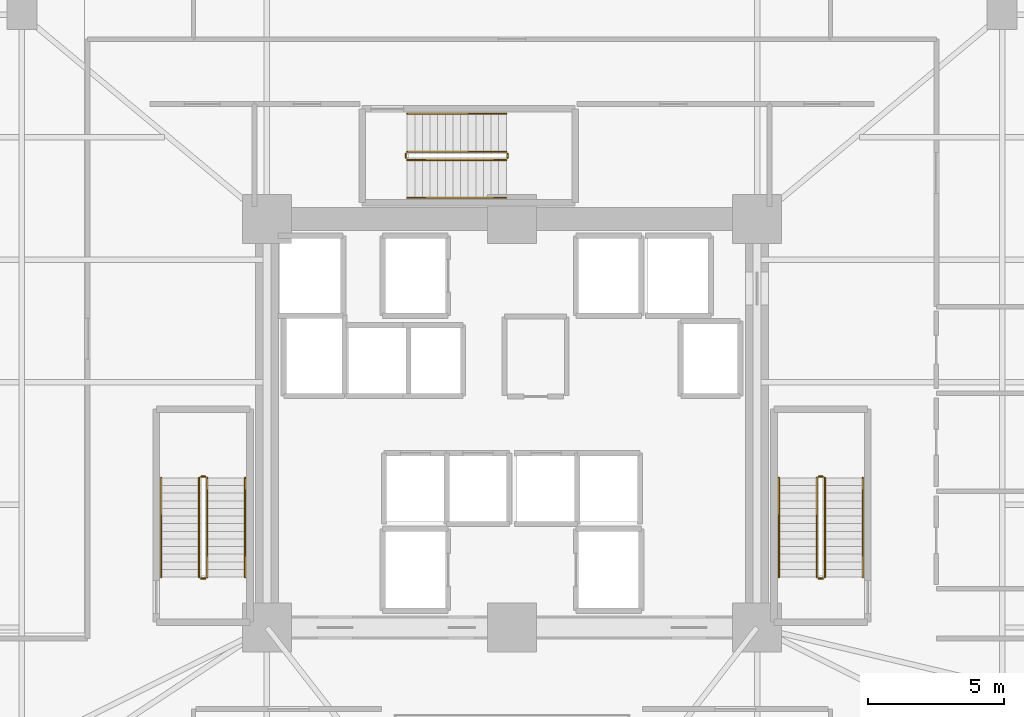
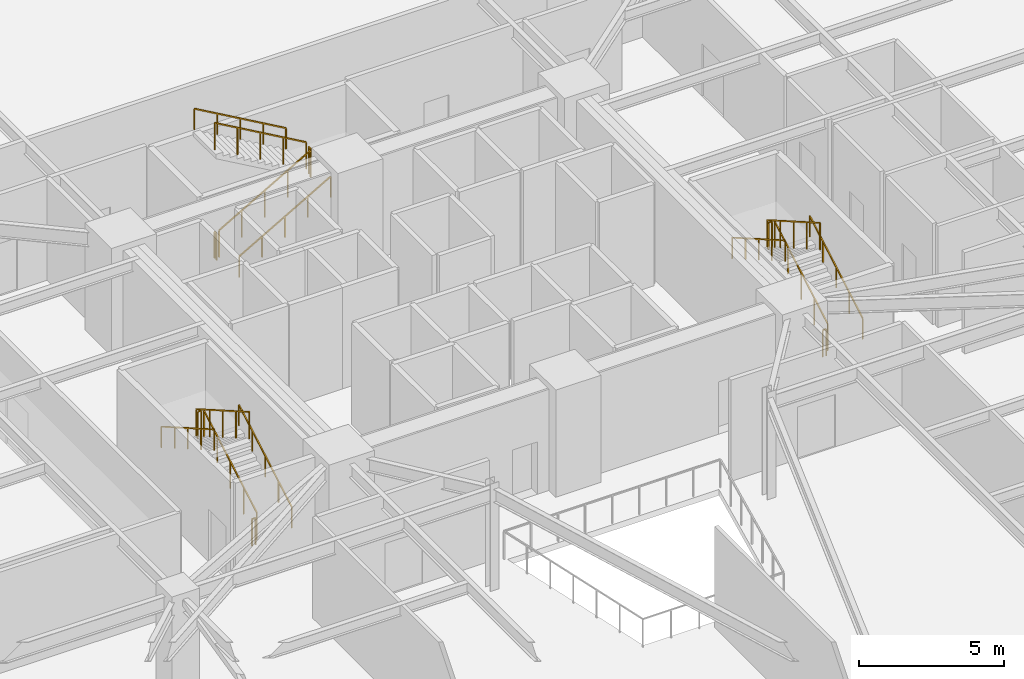
# One storey, part 27 of 29: 18 railings.
"""IFC4 building model written with IfcOpenShell, lengths in metres."""

from ifc_helpers import new_model, si_unit, direction, frame, origin, origin_2d, place, context, subcontext, project, spatial, rectangle, extrude, material, type_object, element, save


model = new_model("IFC4")

# Units and contexts
model_context = context("Model", 3, precision=1e-05, world=origin(), true_north=direction((0.0, 1.0)))
body_context = subcontext(model_context, "Body", "Model", "MODEL_VIEW")
ifc_project = project(units=[si_unit("LENGTHUNIT", "METRE"), si_unit("AREAUNIT", "SQUARE_METRE"), si_unit("VOLUMEUNIT", "CUBIC_METRE"), si_unit("PLANEANGLEUNIT", "RADIAN"), si_unit("MASSUNIT", "GRAM", prefix="KILO")], contexts=[model_context])

# Site, building, storey
site_placement = place(None, origin())
site = spatial("IfcSite", under=ifc_project, at=site_placement, CompositionType="ELEMENT")
building_placement = place(site_placement, origin())
building = spatial("IfcBuilding", under=site, at=building_placement, Name="Liaohun Quay Tower", CompositionType="ELEMENT")
storey_placement = place(building_placement, frame((0.0, 0.0, 5.39990234375)))
storey = spatial("IfcBuildingStorey", under=building, at=storey_placement, Name="L02", CompositionType="ELEMENT", Elevation=5.39990234375)

# Railings
ifc_material_1 = material(Name="Painted tubular steel", Category="steel")
railing_type_1 = type_object("IfcRailingType", Name="RLG-GUARD-STR", PredefinedType="GUARDRAIL", material=ifc_material_1)
railing_1_placement = place(storey_placement, frame((48.81005859375, 48.35009765625, 0.160888671875)))
element("IfcRailing", 1, at=railing_1_placement, inside=storey, type_object=railing_type_1, Name="L02 ST-1 stair guard 1", PredefinedType="GUARDRAIL", context=body_context, shape_type="SweptSolid", body=[
    extrude(rectangle(XDim=0.048095703125, YDim=0.048095703125, at=origin_2d()), frame((0.0, 0.0, 1.1259765625), z_axis=(0.0, 0.867300072446, 0.497785681127), x_axis=(-1.0, 0.0, 0.0)), (0.0, 0.0, 1.0), 4.19677734375),
    extrude(rectangle(XDim=0.0419921875, YDim=0.0419921875, at=origin_2d()), origin(), (0.0, 0.0, 1.0), 1.101806640625),
    extrude(rectangle(XDim=0.0419921875, YDim=0.0419921875, at=origin_2d()), frame((0.0, 0.909912109375, 0.522216796875)), (0.0, 0.0, 1.0), 1.101806640625),
    extrude(rectangle(XDim=0.0419921875, YDim=0.0419921875, at=origin_2d()), frame((0.0, 1.81982421875, 1.04443359375)), (0.0, 0.0, 1.0), 1.101806640625),
    extrude(rectangle(XDim=0.0419921875, YDim=0.0419921875, at=origin_2d()), frame((0.0, 2.72998046875, 1.56689453125)), (0.0, 0.0, 1.0), 1.101806640625),
    extrude(rectangle(XDim=0.0419921875, YDim=0.0419921875, at=origin_2d()), frame((0.0, 3.639892578125, 2.089111328125)), (0.0, 0.0, 1.0), 1.101806640625),
])
railing_2_placement = place(storey_placement, frame((48.72998046875, 52.0400390625, 2.25)))
element("IfcRailing", 2, at=railing_2_placement, inside=storey, type_object=railing_type_1, Name="L02 ST-1 stair guard 2", PredefinedType="GUARDRAIL", context=body_context, shape_type="SweptSolid", body=[
    extrude(rectangle(XDim=0.048095703125, YDim=0.048095703125, at=origin_2d()), frame((0.0, 0.0, 1.1259765625), z_axis=(-1.0, 0.0, 0.0), x_axis=(0.0, -1.0, 0.0)), (0.0, 0.0, 1.0), 0.139892578125),
    extrude(rectangle(XDim=0.0419921875, YDim=0.0419921875, at=origin_2d()), origin(), (0.0, 0.0, 1.0), 1.101806640625),
    extrude(rectangle(XDim=0.0419921875, YDim=0.0419921875, at=origin_2d()), frame((-0.139892578125, 0.0, 0.0)), (0.0, 0.0, 1.0), 1.101806640625),
])
railing_3_placement = place(storey_placement, frame((48.510009765625, 51.989990234375, 2.410888671875)))
element("IfcRailing", 3, at=railing_3_placement, inside=storey, type_object=railing_type_1, Name="L02 ST-1 stair guard 3", PredefinedType="GUARDRAIL", context=body_context, shape_type="SweptSolid", body=[
    extrude(rectangle(XDim=0.048095703125, YDim=0.048095703125, at=origin_2d()), frame((0.0, 0.0, 1.1259765625), z_axis=(0.0, -0.867300072446, 0.497785681127), x_axis=(1.0, 0.0, 0.0)), (0.0, 0.0, 1.0), 4.19677734375),
    extrude(rectangle(XDim=0.0419921875, YDim=0.0419921875, at=origin_2d()), origin(), (0.0, 0.0, 1.0), 1.101806640625),
    extrude(rectangle(XDim=0.0419921875, YDim=0.0419921875, at=origin_2d()), frame((0.0, -0.909912109375, 0.522216796875)), (0.0, 0.0, 1.0), 1.101806640625),
    extrude(rectangle(XDim=0.0419921875, YDim=0.0419921875, at=origin_2d()), frame((0.0, -1.81982421875, 1.04443359375)), (0.0, 0.0, 1.0), 1.101806640625),
    extrude(rectangle(XDim=0.0419921875, YDim=0.0419921875, at=origin_2d()), frame((0.0, -2.72998046875, 1.56689453125)), (0.0, 0.0, 1.0), 1.101806640625),
    extrude(rectangle(XDim=0.0419921875, YDim=0.0419921875, at=origin_2d()), frame((0.0, -3.639892578125, 2.089111328125)), (0.0, 0.0, 1.0), 1.101806640625),
])
railing_4_placement = place(storey_placement, frame((48.72998046875, 48.300048828125, 0.0)))
element("IfcRailing", 4, at=railing_4_placement, inside=storey, type_object=railing_type_1, Name="L02 ST-1 stair guard 4", PredefinedType="GUARDRAIL", context=body_context, shape_type="SweptSolid", body=[
    extrude(rectangle(XDim=0.048095703125, YDim=0.048095703125, at=origin_2d()), frame((0.0, 0.0, 1.1259765625), z_axis=(-1.0, 0.0, 0.0), x_axis=(0.0, -1.0, 0.0)), (0.0, 0.0, 1.0), 0.139892578125),
    extrude(rectangle(XDim=0.0419921875, YDim=0.0419921875, at=origin_2d()), origin(), (0.0, 0.0, 1.0), 1.101806640625),
    extrude(rectangle(XDim=0.0419921875, YDim=0.0419921875, at=origin_2d()), frame((-0.139892578125, 0.0, 0.0)), (0.0, 0.0, 1.0), 1.101806640625),
])
railing_5_placement = place(storey_placement, frame((71.489990234375, 48.35009765625, 0.160888671875)))
element("IfcRailing", 5, at=railing_5_placement, inside=storey, type_object=railing_type_1, Name="L02 ST-2 stair guard 1", PredefinedType="GUARDRAIL", context=body_context, shape_type="SweptSolid", body=[
    extrude(rectangle(XDim=0.048095703125, YDim=0.048095703125, at=origin_2d()), frame((0.0, 0.0, 1.1259765625), z_axis=(0.0, 0.867300072446, 0.497785681127), x_axis=(-1.0, 0.0, 0.0)), (0.0, 0.0, 1.0), 4.19677734375),
    extrude(rectangle(XDim=0.0419921875, YDim=0.0419921875, at=origin_2d()), origin(), (0.0, 0.0, 1.0), 1.101806640625),
    extrude(rectangle(XDim=0.0419921875, YDim=0.0419921875, at=origin_2d()), frame((0.0, 0.909912109375, 0.522216796875)), (0.0, 0.0, 1.0), 1.101806640625),
    extrude(rectangle(XDim=0.0419921875, YDim=0.0419921875, at=origin_2d()), frame((0.0, 1.81982421875, 1.04443359375)), (0.0, 0.0, 1.0), 1.101806640625),
    extrude(rectangle(XDim=0.0419921875, YDim=0.0419921875, at=origin_2d()), frame((0.0, 2.72998046875, 1.56689453125)), (0.0, 0.0, 1.0), 1.101806640625),
    extrude(rectangle(XDim=0.0419921875, YDim=0.0419921875, at=origin_2d()), frame((0.0, 3.639892578125, 2.089111328125)), (0.0, 0.0, 1.0), 1.101806640625),
])
railing_6_placement = place(storey_placement, frame((71.409912109375, 52.0400390625, 2.25)))
element("IfcRailing", 6, at=railing_6_placement, inside=storey, type_object=railing_type_1, Name="L02 ST-2 stair guard 2", PredefinedType="GUARDRAIL", context=body_context, shape_type="SweptSolid", body=[
    extrude(rectangle(XDim=0.048095703125, YDim=0.048095703125, at=origin_2d()), frame((0.0, 0.0, 1.1259765625), z_axis=(-1.0, 0.0, 0.0), x_axis=(0.0, -1.0, 0.0)), (0.0, 0.0, 1.0), 0.139892578125),
    extrude(rectangle(XDim=0.0419921875, YDim=0.0419921875, at=origin_2d()), origin(), (0.0, 0.0, 1.0), 1.101806640625),
    extrude(rectangle(XDim=0.0419921875, YDim=0.0419921875, at=origin_2d()), frame((-0.139892578125, 0.0, 0.0)), (0.0, 0.0, 1.0), 1.101806640625),
])
railing_7_placement = place(storey_placement, frame((71.18994140625, 51.989990234375, 2.410888671875)))
element("IfcRailing", 7, at=railing_7_placement, inside=storey, type_object=railing_type_1, Name="L02 ST-2 stair guard 3", PredefinedType="GUARDRAIL", context=body_context, shape_type="SweptSolid", body=[
    extrude(rectangle(XDim=0.048095703125, YDim=0.048095703125, at=origin_2d()), frame((0.0, 0.0, 1.1259765625), z_axis=(0.0, -0.867300072446, 0.497785681127), x_axis=(1.0, 0.0, 0.0)), (0.0, 0.0, 1.0), 4.19677734375),
    extrude(rectangle(XDim=0.0419921875, YDim=0.0419921875, at=origin_2d()), origin(), (0.0, 0.0, 1.0), 1.101806640625),
    extrude(rectangle(XDim=0.0419921875, YDim=0.0419921875, at=origin_2d()), frame((0.0, -0.909912109375, 0.522216796875)), (0.0, 0.0, 1.0), 1.101806640625),
    extrude(rectangle(XDim=0.0419921875, YDim=0.0419921875, at=origin_2d()), frame((0.0, -1.81982421875, 1.04443359375)), (0.0, 0.0, 1.0), 1.101806640625),
    extrude(rectangle(XDim=0.0419921875, YDim=0.0419921875, at=origin_2d()), frame((0.0, -2.72998046875, 1.56689453125)), (0.0, 0.0, 1.0), 1.101806640625),
    extrude(rectangle(XDim=0.0419921875, YDim=0.0419921875, at=origin_2d()), frame((0.0, -3.639892578125, 2.089111328125)), (0.0, 0.0, 1.0), 1.101806640625),
])
railing_8_placement = place(storey_placement, frame((71.409912109375, 48.300048828125, 0.0)))
element("IfcRailing", 8, at=railing_8_placement, inside=storey, type_object=railing_type_1, Name="L02 ST-2 stair guard 4", PredefinedType="GUARDRAIL", context=body_context, shape_type="SweptSolid", body=[
    extrude(rectangle(XDim=0.048095703125, YDim=0.048095703125, at=origin_2d()), frame((0.0, 0.0, 1.1259765625), z_axis=(-1.0, 0.0, 0.0), x_axis=(0.0, -1.0, 0.0)), (0.0, 0.0, 1.0), 0.139892578125),
    extrude(rectangle(XDim=0.0419921875, YDim=0.0419921875, at=origin_2d()), origin(), (0.0, 0.0, 1.0), 1.101806640625),
    extrude(rectangle(XDim=0.0419921875, YDim=0.0419921875, at=origin_2d()), frame((-0.139892578125, 0.0, 0.0)), (0.0, 0.0, 1.0), 1.101806640625),
])
railing_9_placement = place(storey_placement, frame((56.14990234375, 63.669921875, 0.160888671875)))
element("IfcRailing", 9, at=railing_9_placement, inside=storey, type_object=railing_type_1, Name="L02 ST-3 stair guard 1", PredefinedType="GUARDRAIL", context=body_context, shape_type="SweptSolid", body=[
    extrude(rectangle(XDim=0.048095703125, YDim=0.048095703125, at=origin_2d()), frame((0.0, 0.0, 1.1259765625), z_axis=(0.867314486057, 0.0, 0.497760567216), x_axis=(0.0, 1.0, 0.0)), (0.0, 0.0, 1.0), 4.197021484375),
    extrude(rectangle(XDim=0.0419921875, YDim=0.0419921875, at=origin_2d()), origin(), (0.0, 0.0, 1.0), 1.101806640625),
    extrude(rectangle(XDim=0.0419921875, YDim=0.0419921875, at=origin_2d()), frame((0.91015625, 0.0, 0.522216796875)), (0.0, 0.0, 1.0), 1.101806640625),
    extrude(rectangle(XDim=0.0419921875, YDim=0.0419921875, at=origin_2d()), frame((1.820068359375, 0.0, 1.04443359375)), (0.0, 0.0, 1.0), 1.101806640625),
    extrude(rectangle(XDim=0.0419921875, YDim=0.0419921875, at=origin_2d()), frame((2.72998046875, 0.0, 1.56689453125)), (0.0, 0.0, 1.0), 1.101806640625),
    extrude(rectangle(XDim=0.0419921875, YDim=0.0419921875, at=origin_2d()), frame((3.64013671875, 0.0, 2.089111328125)), (0.0, 0.0, 1.0), 1.101806640625),
])
railing_10_placement = place(storey_placement, frame((59.840087890625, 63.75, 2.25)))
element("IfcRailing", 10, at=railing_10_placement, inside=storey, type_object=railing_type_1, Name="L02 ST-3 stair guard 2", PredefinedType="GUARDRAIL", context=body_context, shape_type="SweptSolid", body=[
    extrude(rectangle(XDim=0.048095703125, YDim=0.048095703125, at=origin_2d()), frame((0.0, 0.0, 1.1259765625), z_axis=(0.0, 1.0, 0.0), x_axis=(-1.0, 0.0, 0.0)), (0.0, 0.0, 1.0), 0.139892578125),
    extrude(rectangle(XDim=0.0419921875, YDim=0.0419921875, at=origin_2d()), origin(), (0.0, 0.0, 1.0), 1.101806640625),
    extrude(rectangle(XDim=0.0419921875, YDim=0.0419921875, at=origin_2d()), frame((0.0, 0.139892578125, 0.0)), (0.0, 0.0, 1.0), 1.101806640625),
])
railing_11_placement = place(storey_placement, frame((59.7900390625, 63.969970703125, 2.410888671875)))
element("IfcRailing", 11, at=railing_11_placement, inside=storey, type_object=railing_type_1, Name="L02 ST-3 stair guard 3", PredefinedType="GUARDRAIL", context=body_context, shape_type="SweptSolid", body=[
    extrude(rectangle(XDim=0.048095703125, YDim=0.048095703125, at=origin_2d()), frame((0.0, 0.0, 1.1259765625), z_axis=(-0.867314486057, 0.0, 0.497760567216), x_axis=(0.0, -1.0, 0.0)), (0.0, 0.0, 1.0), 4.197021484375),
    extrude(rectangle(XDim=0.0419921875, YDim=0.0419921875, at=origin_2d()), origin(), (0.0, 0.0, 1.0), 1.101806640625),
    extrude(rectangle(XDim=0.0419921875, YDim=0.0419921875, at=origin_2d()), frame((-0.91015625, 0.0, 0.522216796875)), (0.0, 0.0, 1.0), 1.101806640625),
    extrude(rectangle(XDim=0.0419921875, YDim=0.0419921875, at=origin_2d()), frame((-1.820068359375, 0.0, 1.04443359375)), (0.0, 0.0, 1.0), 1.101806640625),
    extrude(rectangle(XDim=0.0419921875, YDim=0.0419921875, at=origin_2d()), frame((-2.72998046875, 0.0, 1.56689453125)), (0.0, 0.0, 1.0), 1.101806640625),
    extrude(rectangle(XDim=0.0419921875, YDim=0.0419921875, at=origin_2d()), frame((-3.64013671875, 0.0, 2.089111328125)), (0.0, 0.0, 1.0), 1.101806640625),
])
railing_12_placement = place(storey_placement, frame((56.10009765625, 63.75, 0.0)))
element("IfcRailing", 12, at=railing_12_placement, inside=storey, type_object=railing_type_1, Name="L02 ST-3 stair guard 4", PredefinedType="GUARDRAIL", context=body_context, shape_type="SweptSolid", body=[
    extrude(rectangle(XDim=0.048095703125, YDim=0.048095703125, at=origin_2d()), frame((0.0, 0.0, 1.1259765625), z_axis=(0.0, 1.0, 0.0), x_axis=(-1.0, 0.0, 0.0)), (0.0, 0.0, 1.0), 0.139892578125),
    extrude(rectangle(XDim=0.0419921875, YDim=0.0419921875, at=origin_2d()), origin(), (0.0, 0.0, 1.0), 1.101806640625),
    extrude(rectangle(XDim=0.0419921875, YDim=0.0419921875, at=origin_2d()), frame((0.0, 0.139892578125, 0.0)), (0.0, 0.0, 1.0), 1.101806640625),
])
ifc_material_2 = material(Name="Brushed stainless steel", Category="steel")
railing_type_2 = type_object("IfcRailingType", Name="RLG-HND-STR", PredefinedType="HANDRAIL", material=ifc_material_2)
railing_13_placement = place(storey_placement, frame((50.199951171875, 48.35009765625, 0.160888671875)))
element("IfcRailing", 13, at=railing_13_placement, inside=storey, type_object=railing_type_2, Name="L02 ST-1 stair handrail 1", PredefinedType="HANDRAIL", context=body_context, shape_type="SweptSolid", body=[
    extrude(rectangle(XDim=0.048095703125, YDim=0.048095703125, at=origin_2d()), frame((0.0, 0.0, 0.8759765625), z_axis=(0.0, 0.867300072446, 0.497785681127), x_axis=(-1.0, 0.0, 0.0)), (0.0, 0.0, 1.0), 4.19677734375),
    extrude(rectangle(XDim=0.0419921875, YDim=0.0419921875, at=origin_2d()), origin(), (0.0, 0.0, 1.0), 0.851806640625),
    extrude(rectangle(XDim=0.0419921875, YDim=0.0419921875, at=origin_2d()), frame((0.0, 0.909912109375, 0.522216796875)), (0.0, 0.0, 1.0), 0.851806640625),
    extrude(rectangle(XDim=0.0419921875, YDim=0.0419921875, at=origin_2d()), frame((0.0, 1.81982421875, 1.04443359375)), (0.0, 0.0, 1.0), 0.851806640625),
    extrude(rectangle(XDim=0.0419921875, YDim=0.0419921875, at=origin_2d()), frame((0.0, 2.72998046875, 1.56689453125)), (0.0, 0.0, 1.0), 0.851806640625),
    extrude(rectangle(XDim=0.0419921875, YDim=0.0419921875, at=origin_2d()), frame((0.0, 3.639892578125, 2.089111328125)), (0.0, 0.0, 1.0), 0.851806640625),
])
railing_14_placement = place(storey_placement, frame((47.1201171875, 51.989990234375, 2.410888671875)))
element("IfcRailing", 14, at=railing_14_placement, inside=storey, type_object=railing_type_2, Name="L02 ST-1 stair handrail 2", PredefinedType="HANDRAIL", context=body_context, shape_type="SweptSolid", body=[
    extrude(rectangle(XDim=0.048095703125, YDim=0.048095703125, at=origin_2d()), frame((0.0, 0.0, 0.8759765625), z_axis=(0.0, -0.867300072446, 0.497785681127), x_axis=(1.0, 0.0, 0.0)), (0.0, 0.0, 1.0), 4.19677734375),
    extrude(rectangle(XDim=0.0419921875, YDim=0.0419921875, at=origin_2d()), origin(), (0.0, 0.0, 1.0), 0.851806640625),
    extrude(rectangle(XDim=0.0419921875, YDim=0.0419921875, at=origin_2d()), frame((0.0, -0.909912109375, 0.522216796875)), (0.0, 0.0, 1.0), 0.851806640625),
    extrude(rectangle(XDim=0.0419921875, YDim=0.0419921875, at=origin_2d()), frame((0.0, -1.81982421875, 1.04443359375)), (0.0, 0.0, 1.0), 0.851806640625),
    extrude(rectangle(XDim=0.0419921875, YDim=0.0419921875, at=origin_2d()), frame((0.0, -2.72998046875, 1.56689453125)), (0.0, 0.0, 1.0), 0.851806640625),
    extrude(rectangle(XDim=0.0419921875, YDim=0.0419921875, at=origin_2d()), frame((0.0, -3.639892578125, 2.089111328125)), (0.0, 0.0, 1.0), 0.851806640625),
])
railing_15_placement = place(storey_placement, frame((72.8798828125, 48.35009765625, 0.160888671875)))
element("IfcRailing", 15, at=railing_15_placement, inside=storey, type_object=railing_type_2, Name="L02 ST-2 stair handrail 1", PredefinedType="HANDRAIL", context=body_context, shape_type="SweptSolid", body=[
    extrude(rectangle(XDim=0.048095703125, YDim=0.048095703125, at=origin_2d()), frame((0.0, 0.0, 0.8759765625), z_axis=(0.0, 0.867300072446, 0.497785681127), x_axis=(-1.0, 0.0, 0.0)), (0.0, 0.0, 1.0), 4.19677734375),
    extrude(rectangle(XDim=0.0419921875, YDim=0.0419921875, at=origin_2d()), origin(), (0.0, 0.0, 1.0), 0.851806640625),
    extrude(rectangle(XDim=0.0419921875, YDim=0.0419921875, at=origin_2d()), frame((0.0, 0.909912109375, 0.522216796875)), (0.0, 0.0, 1.0), 0.851806640625),
    extrude(rectangle(XDim=0.0419921875, YDim=0.0419921875, at=origin_2d()), frame((0.0, 1.81982421875, 1.04443359375)), (0.0, 0.0, 1.0), 0.851806640625),
    extrude(rectangle(XDim=0.0419921875, YDim=0.0419921875, at=origin_2d()), frame((0.0, 2.72998046875, 1.56689453125)), (0.0, 0.0, 1.0), 0.851806640625),
    extrude(rectangle(XDim=0.0419921875, YDim=0.0419921875, at=origin_2d()), frame((0.0, 3.639892578125, 2.089111328125)), (0.0, 0.0, 1.0), 0.851806640625),
])
railing_16_placement = place(storey_placement, frame((69.800048828125, 51.989990234375, 2.410888671875)))
element("IfcRailing", 16, at=railing_16_placement, inside=storey, type_object=railing_type_2, Name="L02 ST-2 stair handrail 2", PredefinedType="HANDRAIL", context=body_context, shape_type="SweptSolid", body=[
    extrude(rectangle(XDim=0.048095703125, YDim=0.048095703125, at=origin_2d()), frame((0.0, 0.0, 0.8759765625), z_axis=(0.0, -0.867300072446, 0.497785681127), x_axis=(1.0, 0.0, 0.0)), (0.0, 0.0, 1.0), 4.19677734375),
    extrude(rectangle(XDim=0.0419921875, YDim=0.0419921875, at=origin_2d()), origin(), (0.0, 0.0, 1.0), 0.851806640625),
    extrude(rectangle(XDim=0.0419921875, YDim=0.0419921875, at=origin_2d()), frame((0.0, -0.909912109375, 0.522216796875)), (0.0, 0.0, 1.0), 0.851806640625),
    extrude(rectangle(XDim=0.0419921875, YDim=0.0419921875, at=origin_2d()), frame((0.0, -1.81982421875, 1.04443359375)), (0.0, 0.0, 1.0), 0.851806640625),
    extrude(rectangle(XDim=0.0419921875, YDim=0.0419921875, at=origin_2d()), frame((0.0, -2.72998046875, 1.56689453125)), (0.0, 0.0, 1.0), 0.851806640625),
    extrude(rectangle(XDim=0.0419921875, YDim=0.0419921875, at=origin_2d()), frame((0.0, -3.639892578125, 2.089111328125)), (0.0, 0.0, 1.0), 0.851806640625),
])
railing_17_placement = place(storey_placement, frame((56.14990234375, 62.280029296875, 0.160888671875)))
element("IfcRailing", 17, at=railing_17_placement, inside=storey, type_object=railing_type_2, Name="L02 ST-3 stair handrail 1", PredefinedType="HANDRAIL", context=body_context, shape_type="SweptSolid", body=[
    extrude(rectangle(XDim=0.048095703125, YDim=0.048095703125, at=origin_2d()), frame((0.0, 0.0, 0.8759765625), z_axis=(0.867314486057, 0.0, 0.497760567216), x_axis=(0.0, 1.0, 0.0)), (0.0, 0.0, 1.0), 4.197021484375),
    extrude(rectangle(XDim=0.0419921875, YDim=0.0419921875, at=origin_2d()), origin(), (0.0, 0.0, 1.0), 0.851806640625),
    extrude(rectangle(XDim=0.0419921875, YDim=0.0419921875, at=origin_2d()), frame((0.91015625, 0.0, 0.522216796875)), (0.0, 0.0, 1.0), 0.851806640625),
    extrude(rectangle(XDim=0.0419921875, YDim=0.0419921875, at=origin_2d()), frame((1.820068359375, 0.0, 1.04443359375)), (0.0, 0.0, 1.0), 0.851806640625),
    extrude(rectangle(XDim=0.0419921875, YDim=0.0419921875, at=origin_2d()), frame((2.72998046875, 0.0, 1.56689453125)), (0.0, 0.0, 1.0), 0.851806640625),
    extrude(rectangle(XDim=0.0419921875, YDim=0.0419921875, at=origin_2d()), frame((3.64013671875, 0.0, 2.089111328125)), (0.0, 0.0, 1.0), 0.851806640625),
])
railing_18_placement = place(storey_placement, frame((59.7900390625, 65.360107421875, 2.410888671875)))
element("IfcRailing", 18, at=railing_18_placement, inside=storey, type_object=railing_type_2, Name="L02 ST-3 stair handrail 2", PredefinedType="HANDRAIL", context=body_context, shape_type="SweptSolid", body=[
    extrude(rectangle(XDim=0.048095703125, YDim=0.048095703125, at=origin_2d()), frame((0.0, 0.0, 0.8759765625), z_axis=(-0.867314486057, 0.0, 0.497760567216), x_axis=(0.0, -1.0, 0.0)), (0.0, 0.0, 1.0), 4.197021484375),
    extrude(rectangle(XDim=0.0419921875, YDim=0.0419921875, at=origin_2d()), origin(), (0.0, 0.0, 1.0), 0.851806640625),
    extrude(rectangle(XDim=0.0419921875, YDim=0.0419921875, at=origin_2d()), frame((-0.91015625, 0.0, 0.522216796875)), (0.0, 0.0, 1.0), 0.851806640625),
    extrude(rectangle(XDim=0.0419921875, YDim=0.0419921875, at=origin_2d()), frame((-1.820068359375, 0.0, 1.04443359375)), (0.0, 0.0, 1.0), 0.851806640625),
    extrude(rectangle(XDim=0.0419921875, YDim=0.0419921875, at=origin_2d()), frame((-2.72998046875, 0.0, 1.56689453125)), (0.0, 0.0, 1.0), 0.851806640625),
    extrude(rectangle(XDim=0.0419921875, YDim=0.0419921875, at=origin_2d()), frame((-3.64013671875, 0.0, 2.089111328125)), (0.0, 0.0, 1.0), 0.851806640625),
])

save(model, "model.ifc")
